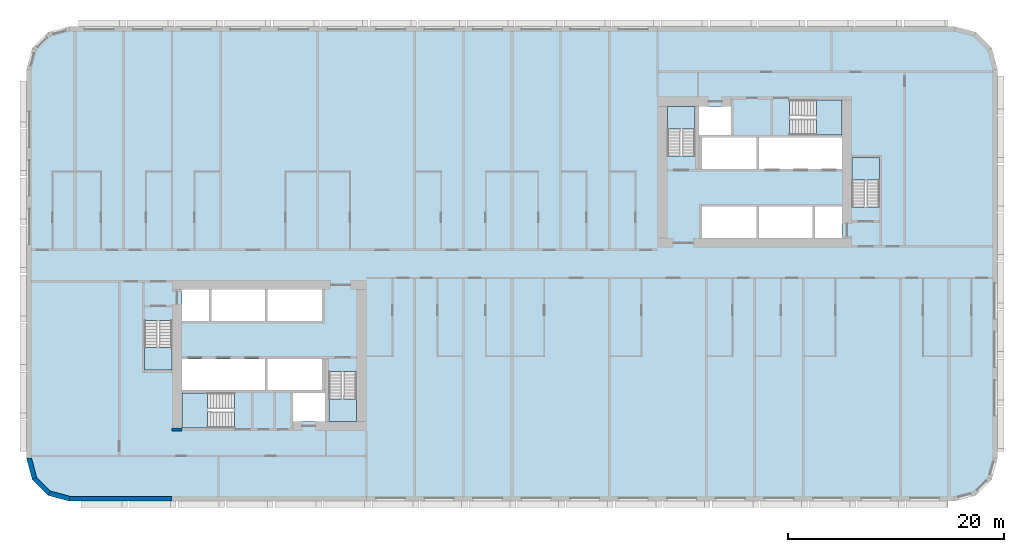
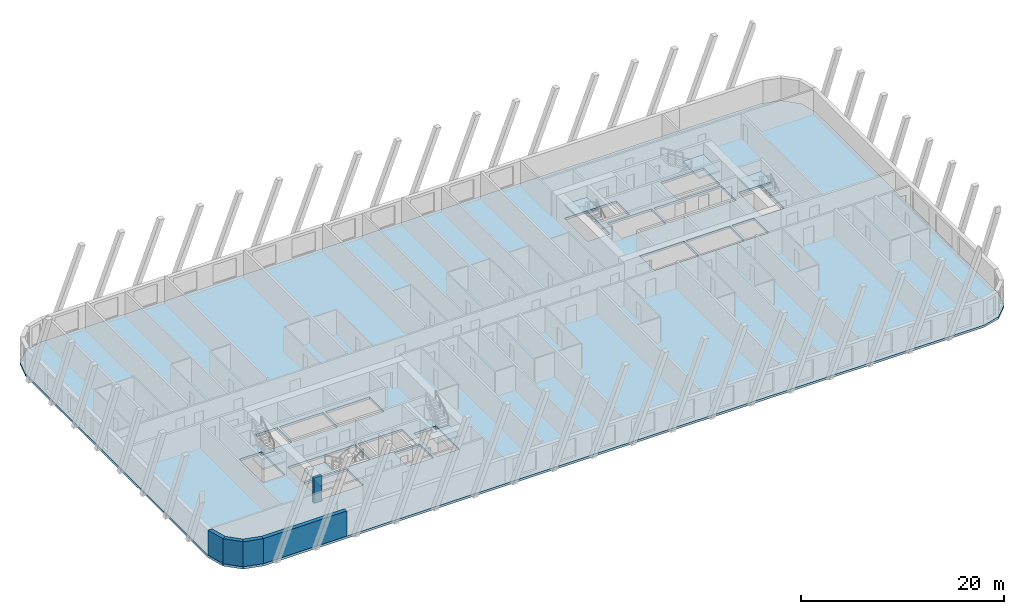
# One storey, part 1 of 13: 7 slabs, 5 walls, 6 elements without a shape of their own.
"""IFC4 building model written with IfcOpenShell, lengths in metres."""

import ifcopenshell
import ifcopenshell.guid

model = None  # the IFC model being written
_history = None  # IfcOwnerHistory: only IFC2X3 demands one
_inside = {}  # id of a spatial element -> (the spatial element, [elements in it])
_under = {}  # id of a project, library or spatial element -> (it, [spatial elements below it])
_declared = {}  # id of a project -> (the project, [libraries it declares])
_typed = {}  # id of a type object -> (the type object, [elements of that type])
_made_of = {}  # id of a material, layer set ... -> (it, [elements and type objects made of it])


def new_model(schema):
    """Start an empty IFC model of exactly this schema.

    Asked for "IFC4X3", IfcOpenShell would pick the latest addendum, in which some entities
    have other attributes; the version numbers below select the first issue.
    IFC2X3 requires an IfcOwnerHistory on every rooted entity: one is made here for all.
    """
    global model, _history
    if schema == "IFC4X3":
        model = ifcopenshell.file(schema_version=(4, 3, 0, 0))
    else:
        model = ifcopenshell.file(schema=schema)
    _inside.clear()
    _under.clear()
    _declared.clear()
    _typed.clear()
    _made_of.clear()
    _history = None
    if model.schema == "IFC2X3":
        org = make("IfcOrganization", Name="unknown")
        user = make(
            "IfcPersonAndOrganization",
            ThePerson=make("IfcPerson", FamilyName="unknown"),
            TheOrganization=org,
        )
        app = make(
            "IfcApplication",
            ApplicationDeveloper=org,
            Version="unknown",
            ApplicationFullName="unknown",
            ApplicationIdentifier="unknown",
        )
        _history = make(
            "IfcOwnerHistory",
            OwningUser=user,
            OwningApplication=app,
            ChangeAction="ADDED",
            CreationDate=0,
        )
    return model


def make(cls, **values):
    """One entity of the class cls with the attributes given. An attribute that is None is left unset."""
    return model.create_entity(
        cls, **{name: value for name, value in values.items() if value is not None}
    )


def rooted(cls, **values):
    """An entity with a GlobalId (a new one), such as an element, a storey or a relation."""
    return make(cls, GlobalId=ifcopenshell.guid.new(), OwnerHistory=_history, **values)


def si_unit(unit_type, name, prefix=None):
    """IfcSIUnit, for example si_unit("LENGTHUNIT", "METRE", prefix="MILLI")."""
    return make("IfcSIUnit", UnitType=unit_type, Prefix=prefix, Name=name)


def assignment(units):
    """IfcUnitAssignment: the units of a project."""
    return None if units is None else make("IfcUnitAssignment", Units=units)


def point(xyz):
    """IfcCartesianPoint."""
    return None if xyz is None else make("IfcCartesianPoint", Coordinates=xyz)


def direction(xyz):
    """IfcDirection."""
    return None if xyz is None else make("IfcDirection", DirectionRatios=xyz)


def frame(location, z_axis=None, x_axis=None):
    """IfcAxis2Placement3D, a coordinate frame: its origin and axes. An axis left out is left unset."""
    return make(
        "IfcAxis2Placement3D",
        Location=point(location),
        Axis=direction(z_axis),
        RefDirection=direction(x_axis),
    )


def frame_2d(location, x_axis=None):
    """IfcAxis2Placement2D, a coordinate frame in the plane: its origin and x axis."""
    return make(
        "IfcAxis2Placement2D", Location=point(location), RefDirection=direction(x_axis)
    )


def origin():
    """The frame at (0, 0, 0) with its axes left unset."""
    return frame((0.0, 0.0, 0.0))


def place(relative_to, where):
    """IfcLocalPlacement: puts the frame where relative to a parent placement (None: the world)."""
    return make(
        "IfcLocalPlacement", PlacementRelTo=relative_to, RelativePlacement=where
    )


def context(
    kind, dimensions, precision=None, world=None, true_north=None, identifier=None
):
    """IfcGeometricRepresentationContext, for example the 3D "Model" context."""
    return make(
        "IfcGeometricRepresentationContext",
        ContextIdentifier=identifier,
        ContextType=kind,
        CoordinateSpaceDimension=dimensions,
        Precision=precision,
        WorldCoordinateSystem=world,
        TrueNorth=true_north,
    )


def subcontext(parent, identifier, kind, view, scale=None):
    """IfcGeometricRepresentationSubContext, for example "Body" below "Model"."""
    return make(
        "IfcGeometricRepresentationSubContext",
        ContextIdentifier=identifier,
        ContextType=kind,
        ParentContext=parent,
        TargetScale=scale,
        TargetView=view,
    )


def project(units=None, contexts=None):
    """IfcProject with its units and contexts."""
    return rooted(
        "IfcProject",
        Name="project",
        RepresentationContexts=contexts,
        UnitsInContext=assignment(units),
    )


def spatial(cls, under=None, at=None, **own):
    """A site, building, storey or space (cls), placed at a placement, below another one or the project."""
    s = rooted(cls, ObjectPlacement=at, **own)
    if under is not None:
        _under.setdefault(under.id(), (under, []))[1].append(s)
    return s


def polyline(points):
    """IfcPolyline through the points."""
    return make("IfcPolyline", Points=[point(p) for p in points])


def profile(cls, at=None, kind="AREA", **sizes):
    """A parametric profile (cls). Its sizes go by their IFC names, for example OverallWidth=200.0."""
    return make(cls, ProfileType=kind, Position=at, **sizes)


def rectangle(**sizes):
    """IfcRectangleProfileDef."""
    return profile("IfcRectangleProfileDef", **sizes)


def outline(outer, holes=None, kind="AREA"):
    """IfcArbitraryClosedProfileDef: a profile drawn as a closed curve; with holes, ...WithVoids."""
    if holes is None:
        return make("IfcArbitraryClosedProfileDef", ProfileType=kind, OuterCurve=outer)
    return make(
        "IfcArbitraryProfileDefWithVoids",
        ProfileType=kind,
        OuterCurve=outer,
        InnerCurves=holes,
    )


def extrude(swept, where, along, depth):
    """IfcExtrudedAreaSolid: the profile swept, set in the frame where, extruded along a direction by depth."""
    return make(
        "IfcExtrudedAreaSolid",
        SweptArea=swept,
        Position=where,
        ExtrudedDirection=direction(along),
        Depth=depth,
    )


def shape(context_of_items, identifier, shape_type, items):
    """IfcShapeRepresentation: the items that make up one representation, for example the "Body"."""
    return make(
        "IfcShapeRepresentation",
        ContextOfItems=context_of_items,
        RepresentationIdentifier=identifier,
        RepresentationType=shape_type,
        Items=items,
    )


def material(Name=None, Category=None):
    """IfcMaterial."""
    return make("IfcMaterial", Name=Name, Category=Category)


def layer(
    of_material, thickness, ventilated=None, Name=None, Category=None, Priority=None
):
    """IfcMaterialLayer: one layer of a wall or slab, of a material (None: an air gap)."""
    return make(
        "IfcMaterialLayer",
        Material=of_material,
        LayerThickness=thickness,
        IsVentilated=ventilated,
        Name=Name,
        Category=Category,
        Priority=Priority,
    )


def layer_set(layers, Name=None):
    """IfcMaterialLayerSet."""
    return make("IfcMaterialLayerSet", MaterialLayers=layers, LayerSetName=Name)


def made_of(thing, what):
    """Note that an element or type object is made of a material, layer set ...; save() writes the relation."""
    if what is not None:
        _made_of.setdefault(what.id(), (what, []))[1].append(thing)
    return thing


def type_object(cls, material=None, **own):
    """A type object (cls), such as IfcWallType, which elements share."""
    return made_of(rooted(cls, **own), material)


def element(
    cls,
    number,
    at=None,
    inside=None,
    cuts=None,
    type_object=None,
    material=None,
    context=None,
    identifier="Body",
    shape_type=None,
    held_by="IfcProductDefinitionShape",
    body=None,
    shapes=None,
    **own,
):
    """One element of the class cls, such as IfcWall. Its Tag is "e" and its number.

    at: its placement. inside: the storey or other place that contains it. cuts: it is an
    opening in that element (IfcRelVoidsElement). A single representation is given by context,
    identifier, shape_type and body (its items); several are given by shapes. held_by: the class
    of the entity that holds the representations. save() writes the other relations.
    """
    e = rooted(cls, Tag="e%d" % number, ObjectPlacement=at, **own)
    if body is not None:
        shapes = [shape(context, identifier, shape_type, body)]
    if shapes is not None:
        e.Representation = make(held_by, Representations=shapes)
    if inside is not None:
        _inside.setdefault(inside.id(), (inside, []))[1].append(e)
    if cuts is not None:
        rooted(
            "IfcRelVoidsElement", RelatingBuildingElement=cuts, RelatedOpeningElement=e
        )
    if type_object is not None:
        _typed.setdefault(type_object.id(), (type_object, []))[1].append(e)
    return made_of(e, material)


def aggregate(whole, parts):
    """IfcRelAggregates: a whole, such as a stair, and the parts it consists of."""
    return rooted("IfcRelAggregates", RelatingObject=whole, RelatedObjects=parts)


def save(model, path):
    """Write the relations noted so far, then the file.

    IfcRelAggregates (storeys below a building ...), IfcRelContainedInSpatialStructure (elements
    in a storey), IfcRelDefinesByType, IfcRelAssociatesMaterial and IfcRelDeclares: one each for
    every whole, place, type object, material and project.
    """
    for whole, parts in _under.values():
        aggregate(whole, parts)
    for where, things in _inside.values():
        rooted(
            "IfcRelContainedInSpatialStructure",
            RelatedElements=things,
            RelatingStructure=where,
        )
    for kind, things in _typed.values():
        rooted("IfcRelDefinesByType", RelatedObjects=things, RelatingType=kind)
    for what, things in _made_of.values():
        rooted("IfcRelAssociatesMaterial", RelatedObjects=things, RelatingMaterial=what)
    for by, libraries in _declared.values():
        rooted("IfcRelDeclares", RelatingContext=by, RelatedDefinitions=libraries)
    model.write(path)


model = new_model("IFC4")

# Units and contexts
model_context = context("Model", 3, precision=1e-05, world=origin(), true_north=direction((0.0, 1.0)))
body_context = subcontext(model_context, "Body", "Model", "MODEL_VIEW")
ifc_project = project(units=[si_unit("LENGTHUNIT", "METRE"), si_unit("AREAUNIT", "SQUARE_METRE"), si_unit("VOLUMEUNIT", "CUBIC_METRE"), si_unit("PLANEANGLEUNIT", "RADIAN"), si_unit("MASSUNIT", "GRAM", prefix="KILO")], contexts=[model_context])

# Site, building, storey
site_placement = place(None, origin())
site = spatial("IfcSite", under=ifc_project, at=site_placement, CompositionType="ELEMENT")
building_placement = place(site_placement, origin())
building = spatial("IfcBuilding", under=site, at=building_placement, Name="Kajstack Hotel Tower", CompositionType="ELEMENT")
storey_placement = place(building_placement, frame((0.0, 0.0, 69.89990234375)))
storey = spatial("IfcBuildingStorey", under=building, at=storey_placement, Name="L12", CompositionType="ELEMENT", Elevation=69.89990234375)

# Slab
ifc_material_1 = material(Name="Concrete C40/50", Category="concrete")
ifc_layer_1 = layer(ifc_material_1, 0.280029296875)
ifc_layer_set_1 = layer_set([ifc_layer_1], Name="RC slab 280 C40/50 guest")
slab_type_1 = type_object("IfcSlabType", Name="RC slab 280 C40/50 guest", PredefinedType="FLOOR", material=ifc_layer_set_1)
slab_1_placement = place(storey_placement, frame((0.0, 0.0, -0.27978515625)))
element("IfcSlab", 1, at=slab_1_placement, inside=storey, type_object=slab_type_1, Name="S-slab-L12", PredefinedType="FLOOR", context=body_context, shape_type="SweptSolid", body=[
    extrude(outline(polyline([(-45.0, -18.0), (-44.464111328125, -20.0), (-43.0, -21.464111328125), (-41.0, -22.0), (41.0, -22.0), (43.0, -21.464111328125), (44.464111328125, -20.0), (45.0, -18.0), (45.0, 18.0), (44.464111328125, 20.0), (43.0, 21.464111328125), (41.0, 22.0), (-41.0, 22.0), (-43.0, 21.464111328125), (-44.464111328125, 20.0), (-45.0, 18.0), (-45.0, -18.0)]), holes=[polyline([(-30.60009765625, -11.699951171875), (-30.60009765625, -8.800048828125), (-22.89990234375, -8.800048828125), (-22.89990234375, -11.699951171875), (-30.60009765625, -11.699951171875)]), polyline([(-22.64990234375, -11.699951171875), (-22.64990234375, -8.800048828125), (-17.60009765625, -8.800048828125), (-17.60009765625, -11.699951171875), (-22.64990234375, -11.699951171875)]), polyline([(-27.85009765625, -5.300048828125), (-27.85009765625, -2.39990234375), (-22.89990234375, -2.39990234375), (-22.89990234375, -5.300048828125), (-27.85009765625, -5.300048828125)]), polyline([(-22.64990234375, -5.300048828125), (-22.64990234375, -2.39990234375), (-17.60009765625, -2.39990234375), (-17.60009765625, -5.300048828125), (-22.64990234375, -5.300048828125)]), polyline([(-20.300048828125, -14.60009765625), (-17.35009765625, -14.60009765625), (-17.35009765625, -11.949951171875), (-20.300048828125, -11.949951171875), (-20.300048828125, -14.60009765625)]), polyline([(-30.60009765625, -5.300048828125), (-28.10009765625, -5.300048828125), (-28.10009765625, -2.39990234375), (-30.60009765625, -2.39990234375), (-30.60009765625, -5.300048828125)]), polyline([(22.89990234375, 8.800048828125), (22.89990234375, 11.699951171875), (30.60009765625, 11.699951171875), (30.60009765625, 8.800048828125), (22.89990234375, 8.800048828125)]), polyline([(17.60009765625, 8.800048828125), (17.60009765625, 11.699951171875), (22.64990234375, 11.699951171875), (22.64990234375, 8.800048828125), (17.60009765625, 8.800048828125)]), polyline([(22.89990234375, 2.39990234375), (22.89990234375, 5.300048828125), (27.85009765625, 5.300048828125), (27.85009765625, 2.39990234375), (22.89990234375, 2.39990234375)]), polyline([(17.60009765625, 2.39990234375), (17.60009765625, 5.300048828125), (22.64990234375, 5.300048828125), (22.64990234375, 2.39990234375), (17.60009765625, 2.39990234375)]), polyline([(20.300048828125, 14.60009765625), (17.35009765625, 14.60009765625), (17.35009765625, 11.949951171875), (20.300048828125, 11.949951171875), (20.300048828125, 14.60009765625)]), polyline([(30.60009765625, 5.300048828125), (28.10009765625, 5.300048828125), (28.10009765625, 2.39990234375), (30.60009765625, 2.39990234375), (30.60009765625, 5.300048828125)]), polyline([(-34.050048828125, -9.85009765625), (-31.5, -9.85009765625), (-31.5, -5.25), (-34.050048828125, -5.25), (-34.050048828125, -9.85009765625)]), polyline([(-16.949951171875, -14.60009765625), (-14.39990234375, -14.60009765625), (-14.39990234375, -10.0), (-16.949951171875, -10.0), (-16.949951171875, -14.60009765625)]), polyline([(-30.60009765625, -15.199951171875), (-25.699951171875, -15.199951171875), (-25.699951171875, -11.949951171875), (-30.60009765625, -11.949951171875), (-30.60009765625, -15.199951171875)]), polyline([(34.050048828125, 9.85009765625), (31.5, 9.85009765625), (31.5, 5.25), (34.050048828125, 5.25), (34.050048828125, 9.85009765625)]), polyline([(16.949951171875, 14.60009765625), (14.39990234375, 14.60009765625), (14.39990234375, 10.0), (16.949951171875, 10.0), (16.949951171875, 14.60009765625)]), polyline([(30.60009765625, 15.199951171875), (25.699951171875, 15.199951171875), (25.699951171875, 11.949951171875), (30.60009765625, 11.949951171875), (30.60009765625, 15.199951171875)])]), origin(), (0.0, 0.0, 1.0), 0.27978515625),
])

# Stair, slab
stair_type_1 = type_object("IfcStairType", Name="Exit stair 1200", PredefinedType="HALF_TURN_STAIR", material=ifc_material_1)
stair_1_placement = place(storey_placement, origin())
stair_1 = element("IfcStair", 2, at=stair_1_placement, inside=storey, type_object=stair_type_1, Name="L12 stair W1", PredefinedType="HALF_TURN_STAIR")
ifc_layer_2 = layer(ifc_material_1, 0.199951171875)
ifc_layer_set_2 = layer_set([ifc_layer_2], Name="Stair landing 200")
slab_type_2 = type_object("IfcSlabType", Name="Stair landing 200", PredefinedType="LANDING", material=ifc_layer_set_2)
slab_2_placement = place(storey_placement, frame((0.0, 0.0, 1.4501953125)))
slab_2 = element("IfcSlab", 3, at=slab_2_placement, type_object=slab_type_2, Name="W1 landing 1", PredefinedType="LANDING", context=body_context, shape_type="SweptSolid", body=[
    extrude(outline(polyline([(-34.050048828125, -7.77001953125), (-34.050048828125, -9.85009765625), (-31.5, -9.85009765625), (-31.5, -7.77001953125), (-34.050048828125, -7.77001953125)])), origin(), (0.0, 0.0, 1.0), 0.199951171875),
])
aggregate(stair_1, [slab_2])

stair_2_placement = place(storey_placement, origin())
stair_2 = element("IfcStair", 4, at=stair_2_placement, inside=storey, type_object=stair_type_1, Name="L12 stair W2", PredefinedType="HALF_TURN_STAIR")
slab_3_placement = place(storey_placement, frame((0.0, 0.0, 1.4501953125)))
slab_3 = element("IfcSlab", 5, at=slab_3_placement, type_object=slab_type_2, Name="W2 landing 1", PredefinedType="LANDING", context=body_context, shape_type="SweptSolid", body=[
    extrude(outline(polyline([(-16.949951171875, -12.52001953125), (-16.949951171875, -14.60009765625), (-14.39990234375, -14.60009765625), (-14.39990234375, -12.52001953125), (-16.949951171875, -12.52001953125)])), origin(), (0.0, 0.0, 1.0), 0.199951171875),
])
aggregate(stair_2, [slab_3])

stair_type_2 = type_object("IfcStairType", Name="Exit stair 1500", PredefinedType="HALF_TURN_STAIR", material=ifc_material_1)
stair_3_placement = place(storey_placement, origin())
stair_3 = element("IfcStair", 6, at=stair_3_placement, inside=storey, type_object=stair_type_2, Name="L12 stair W3", PredefinedType="HALF_TURN_STAIR")
slab_4_placement = place(storey_placement, frame((0.0, 0.0, 1.4501953125)))
slab_4 = element("IfcSlab", 7, at=slab_4_placement, type_object=slab_type_2, Name="W3 landing 1", PredefinedType="LANDING", context=body_context, shape_type="SweptSolid", body=[
    extrude(outline(polyline([(-28.219970703125, -11.949951171875), (-30.60009765625, -11.949951171875), (-30.60009765625, -15.199951171875), (-28.219970703125, -15.199951171875), (-28.219970703125, -11.949951171875)])), origin(), (0.0, 0.0, 1.0), 0.199951171875),
])
aggregate(stair_3, [slab_4])

stair_4_placement = place(storey_placement, origin())
stair_4 = element("IfcStair", 8, at=stair_4_placement, inside=storey, type_object=stair_type_1, Name="L12 stair E1", PredefinedType="HALF_TURN_STAIR")
slab_5_placement = place(storey_placement, frame((0.0, 0.0, 1.4501953125)))
slab_5 = element("IfcSlab", 9, at=slab_5_placement, type_object=slab_type_2, Name="E1 landing 1", PredefinedType="LANDING", context=body_context, shape_type="SweptSolid", body=[
    extrude(outline(polyline([(34.050048828125, 7.77001953125), (34.050048828125, 9.85009765625), (31.5, 9.85009765625), (31.5, 7.77001953125), (34.050048828125, 7.77001953125)])), origin(), (0.0, 0.0, 1.0), 0.199951171875),
])
aggregate(stair_4, [slab_5])

stair_5_placement = place(storey_placement, origin())
stair_5 = element("IfcStair", 10, at=stair_5_placement, inside=storey, type_object=stair_type_1, Name="L12 stair E2", PredefinedType="HALF_TURN_STAIR")
slab_6_placement = place(storey_placement, frame((0.0, 0.0, 1.4501953125)))
slab_6 = element("IfcSlab", 11, at=slab_6_placement, type_object=slab_type_2, Name="E2 landing 1", PredefinedType="LANDING", context=body_context, shape_type="SweptSolid", body=[
    extrude(outline(polyline([(16.949951171875, 12.52001953125), (16.949951171875, 14.60009765625), (14.39990234375, 14.60009765625), (14.39990234375, 12.52001953125), (16.949951171875, 12.52001953125)])), origin(), (0.0, 0.0, 1.0), 0.199951171875),
])
aggregate(stair_5, [slab_6])

stair_6_placement = place(storey_placement, origin())
stair_6 = element("IfcStair", 12, at=stair_6_placement, inside=storey, type_object=stair_type_2, Name="L12 stair E3", PredefinedType="HALF_TURN_STAIR")
slab_7_placement = place(storey_placement, frame((0.0, 0.0, 1.4501953125)))
slab_7 = element("IfcSlab", 13, at=slab_7_placement, type_object=slab_type_2, Name="E3 landing 1", PredefinedType="LANDING", context=body_context, shape_type="SweptSolid", body=[
    extrude(outline(polyline([(28.219970703125, 11.949951171875), (30.60009765625, 11.949951171875), (30.60009765625, 15.199951171875), (28.219970703125, 15.199951171875), (28.219970703125, 11.949951171875)])), origin(), (0.0, 0.0, 1.0), 0.199951171875),
])
aggregate(stair_6, [slab_7])

# Walls
ifc_material_2 = material(Name="Concrete C60/75", Category="concrete")
ifc_layer_3 = layer(ifc_material_2, 0.89990234375)
ifc_layer_set_3 = layer_set([ifc_layer_3], Name="Core wall 900")
wall_type_1 = type_object("IfcWallType", Name="Core wall 900", PredefinedType="SHEAR", material=ifc_layer_set_3)
wall_1_placement = place(storey_placement, frame((-31.5, -15.35009765625, 0.0), z_axis=(0.0, 0.0, 1.0), x_axis=(1.0, 0.0, 0.0)))
element("IfcWall", 14, at=wall_1_placement, inside=storey, type_object=wall_type_1, Name="Core wall W RSW", PredefinedType="SHEAR", context=body_context, shape_type="SweptSolid", body=[
    extrude(rectangle(XDim=0.89990234375, YDim=0.300048828125, at=frame_2d((0.449951171875, 0.0))), origin(), (0.0, 0.0, 1.0), 3.02001953125),
])
ifc_material_3 = material(Name="Terracotta-faced brick masonry", Category="masonry")
ifc_layer_4 = layer(ifc_material_3, 0.449951171875)
ifc_layer_set_4 = layer_set([ifc_layer_4], Name="EW-TERRA")
wall_type_2 = type_object("IfcWallType", Name="EW-TERRA", PredefinedType="SOLIDWALL", material=ifc_layer_set_4)
wall_2_placement = place(storey_placement, frame((-44.78271484375, -17.941650390625, 0.0), z_axis=(0.0, 0.0, 1.0), x_axis=(0.25881466832, -0.965926999034, 0.0)))
element("IfcWall", 15, at=wall_2_placement, inside=storey, type_object=wall_type_2, Name="E-wall-L12-00-00", PredefinedType="SOLIDWALL", context=body_context, shape_type="SweptSolid", body=[
    extrude(outline(polyline([(0.000244140625, -0.22509765625), (2.070556640625, -0.224853515625), (1.9501953125, 0.22509765625), (0.12060546875, 0.22509765625), (0.000244140625, -0.22509765625)])), origin(), (0.0, 0.0, 1.0), 3.02001953125),
])
wall_3_placement = place(storey_placement, frame((-44.304931640625, -19.8408203125, 0.0), z_axis=(0.0, 0.0, 1.0), x_axis=(0.707106781187, -0.707106781187, 0.0)))
element("IfcWall", 16, at=wall_3_placement, inside=storey, type_object=wall_type_2, Name="E-wall-L12-01-00", PredefinedType="SOLIDWALL", context=body_context, shape_type="SweptSolid", body=[
    extrude(outline(polyline([(0.0, -0.22509765625), (2.070556640625, -0.22509765625), (1.949951171875, 0.224853515625), (0.12060546875, 0.224853515625), (0.0, -0.22509765625)])), origin(), (0.0, 0.0, 1.0), 3.02001953125),
])
wall_4_placement = place(storey_placement, frame((-42.941650390625, -21.246826171875, 0.0), z_axis=(0.0, 0.0, 1.0), x_axis=(0.965926999034, -0.25881466832, 0.0)))
element("IfcWall", 17, at=wall_4_placement, inside=storey, type_object=wall_type_2, Name="E-wall-L12-02-00", PredefinedType="SOLIDWALL", context=body_context, shape_type="SweptSolid", body=[
    extrude(outline(polyline([(-0.000244140625, -0.224853515625), (2.0703125, -0.22509765625), (1.949951171875, 0.22509765625), (0.120361328125, 0.22509765625), (-0.000244140625, -0.224853515625)])), origin(), (0.0, 0.0, 1.0), 3.02001953125),
])
wall_5_placement = place(storey_placement, frame((-41.0, -21.77490234375, 0.0), z_axis=(0.0, 0.0, 1.0), x_axis=(1.0, 0.0, 0.0)))
element("IfcWall", 18, at=wall_5_placement, inside=storey, type_object=wall_type_2, Name="E-wall-L12-03-00", PredefinedType="SOLIDWALL", context=body_context, shape_type="SweptSolid", body=[
    extrude(rectangle(XDim=9.5, YDim=0.449951171875, at=frame_2d((4.75, 0.0))), origin(), (0.0, 0.0, 1.0), 3.02001953125),
])

save(model, "model.ifc")
